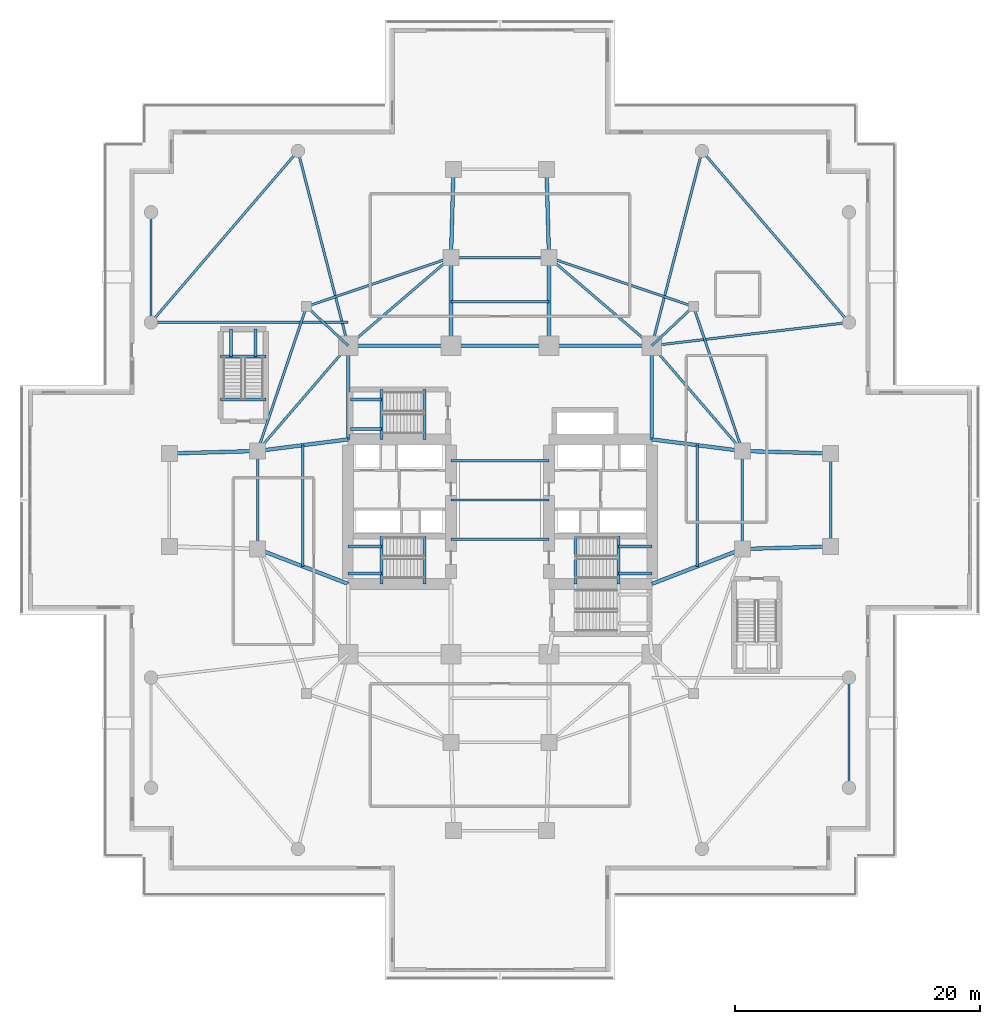
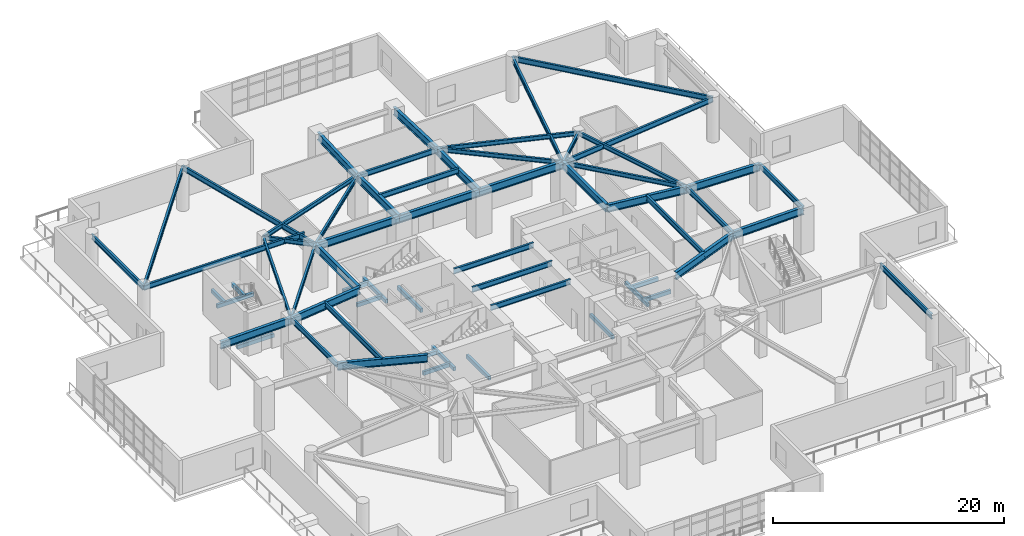
# One storey, part 7 of 23: 60 beams.
"""IFC4 building model written with IfcOpenShell, lengths in metres."""

from ifc_helpers import new_model, si_unit, direction, frame, origin, origin_2d, place, context, subcontext, project, spatial, rectangle, i_section, extrude, material, material_profile, profile_set, type_object, element, save


model = new_model("IFC4")

# Units and contexts
model_context = context("Model", 3, precision=1e-05, world=origin(), true_north=direction((0.0, 1.0)))
body_context = subcontext(model_context, "Body", "Model", "MODEL_VIEW")
ifc_project = project(units=[si_unit("LENGTHUNIT", "METRE"), si_unit("AREAUNIT", "SQUARE_METRE"), si_unit("VOLUMEUNIT", "CUBIC_METRE"), si_unit("PLANEANGLEUNIT", "RADIAN"), si_unit("MASSUNIT", "GRAM", prefix="KILO")], contexts=[model_context])

# Site, building, storey
site_placement = place(None, origin())
site = spatial("IfcSite", under=ifc_project, at=site_placement, CompositionType="ELEMENT")
building_placement = place(site_placement, origin())
building = spatial("IfcBuilding", under=site, at=building_placement, Name="Qingluan Cross Belvedere", CompositionType="ELEMENT")
storey_placement = place(building_placement, frame((0.0, 0.0, 5.39990234375)))
storey = spatial("IfcBuildingStorey", under=building, at=storey_placement, Name="L02", CompositionType="ELEMENT", Elevation=5.39990234375)

# Beams
ifc_material_1 = material(Name="Concrete C45", Category="concrete")
ifc_material_profile_1 = material_profile(ifc_material_1, rectangle(XDim=0.25, YDim=0.39990234375, at=origin_2d()), Name="RC250x400")
ifc_profile_set_1 = profile_set([ifc_material_profile_1], Name="Concrete C45")
beam_type_1 = type_object("IfcBeamType", Name="RC_Lintel_RC250x400", PredefinedType="LINTEL", material=ifc_profile_set_1)
for number, where, z_axis, x_axis, name in (
    (1, (-6.179931640625, -6.85009765625, -0.199951171875), (0.0, 1.0, 0.0), (-1.0, 0.0, 0.0), "Stair ST1 landing beam L02"),
    (2, (6.179931640625, -6.85009765625, -0.199951171875), (0.0, 1.0, 0.0), (-1.0, 0.0, 0.0), "Stair ST2 landing beam L02"),
):
    element("IfcBeam", number, at=place(storey_placement, frame(where, z_axis=z_axis, x_axis=x_axis)), inside=storey, type_object=beam_type_1, Name=name, PredefinedType="LINTEL", context=body_context, shape_type="SweptSolid", body=[
        extrude(rectangle(XDim=0.25, YDim=0.39990234375, at=origin_2d()), origin(), (0.0, 0.0, 1.0), 3.89013671875),
    ])
beam_1_placement = place(storey_placement, frame((-6.179931640625, 4.949951171875, -0.199951171875), z_axis=(0.0, 1.0, 0.0), x_axis=(-1.0, 0.0, 0.0)))
element("IfcBeam", 3, at=beam_1_placement, inside=storey, type_object=beam_type_1, Name="Stair ST3 landing beam L02", PredefinedType="LINTEL", context=body_context, shape_type="SweptSolid", body=[
    extrude(rectangle(XDim=0.25, YDim=0.39990234375, at=origin_2d()), origin(), (0.0, 0.0, 1.0), 4.090087890625),
])
beam_2_placement = place(storey_placement, frame((-22.820068359375, 8.2099609375, -0.199951171875), z_axis=(1.0, 0.0, 0.0), x_axis=(0.0, 1.0, 0.0)))
element("IfcBeam", 4, at=beam_2_placement, inside=storey, type_object=beam_type_1, Name="Stair ST5 landing beam L02", PredefinedType="LINTEL", context=body_context, shape_type="SweptSolid", body=[
    extrude(rectangle(XDim=0.25, YDim=0.39990234375, at=origin_2d()), origin(), (0.0, 0.0, 1.0), 3.699951171875),
])
beam_3_placement = place(storey_placement, frame((-9.68994140625, -6.85009765625, 2.0), z_axis=(0.0, 1.0, 0.0), x_axis=(-1.0, 0.0, 0.0)))
element("IfcBeam", 5, at=beam_3_placement, inside=storey, type_object=beam_type_1, Name="Stair ST1 beam A L02", PredefinedType="LINTEL", context=body_context, shape_type="SweptSolid", body=[
    extrude(rectangle(XDim=0.25, YDim=0.39990234375, at=origin_2d()), origin(), (0.0, 0.0, 1.0), 3.89013671875),
])
for number, where, z_axis, x_axis, name in (
    (6, (-12.39990234375, -6.0, 2.0), (1.0, 0.0, 0.0), (0.0, 1.0, 0.0), "Stair ST1 beam B L02"),
    (7, (-12.39990234375, -3.81005859375, 2.0), (1.0, 0.0, 0.0), (0.0, 1.0, 0.0), "Stair ST1 beam C L02"),
):
    element("IfcBeam", number, at=place(storey_placement, frame(where, z_axis=z_axis, x_axis=x_axis)), inside=storey, type_object=beam_type_1, Name=name, PredefinedType="LINTEL", context=body_context, shape_type="SweptSolid", body=[
        extrude(rectangle(XDim=0.25, YDim=0.39990234375, at=origin_2d()), origin(), (0.0, 0.0, 1.0), 2.7099609375),
    ])
beam_4_placement = place(storey_placement, frame((9.68994140625, -6.85009765625, 2.0), z_axis=(0.0, 1.0, 0.0), x_axis=(-1.0, 0.0, 0.0)))
element("IfcBeam", 8, at=beam_4_placement, inside=storey, type_object=beam_type_1, Name="Stair ST2 beam A L02", PredefinedType="LINTEL", context=body_context, shape_type="SweptSolid", body=[
    extrude(rectangle(XDim=0.25, YDim=0.39990234375, at=origin_2d()), origin(), (0.0, 0.0, 1.0), 3.89013671875),
])
for number, where, z_axis, x_axis, name in (
    (9, (12.39990234375, -6.0, 2.0), (-1.0, 0.0, 0.0), (0.0, -1.0, 0.0), "Stair ST2 beam B L02"),
    (10, (12.39990234375, -3.81005859375, 2.0), (-1.0, 0.0, 0.0), (0.0, -1.0, 0.0), "Stair ST2 beam C L02"),
):
    element("IfcBeam", number, at=place(storey_placement, frame(where, z_axis=z_axis, x_axis=x_axis)), inside=storey, type_object=beam_type_1, Name=name, PredefinedType="LINTEL", context=body_context, shape_type="SweptSolid", body=[
        extrude(rectangle(XDim=0.25, YDim=0.39990234375, at=origin_2d()), origin(), (0.0, 0.0, 1.0), 2.7099609375),
    ])
beam_5_placement = place(storey_placement, frame((-9.68994140625, 4.949951171875, 2.0), z_axis=(0.0, 1.0, 0.0), x_axis=(-1.0, 0.0, 0.0)))
element("IfcBeam", 11, at=beam_5_placement, inside=storey, type_object=beam_type_1, Name="Stair ST3 beam A L02", PredefinedType="LINTEL", context=body_context, shape_type="SweptSolid", body=[
    extrude(rectangle(XDim=0.25, YDim=0.39990234375, at=origin_2d()), origin(), (0.0, 0.0, 1.0), 4.090087890625),
])
for number, where, z_axis, x_axis, name in (
    (12, (-12.219970703125, 5.800048828125, 2.0), (1.0, 0.0, 0.0), (0.0, 1.0, 0.0), "Stair ST3 beam B L02"),
    (13, (-12.219970703125, 8.18994140625, 2.0), (1.0, 0.0, 0.0), (0.0, 1.0, 0.0), "Stair ST3 beam C L02"),
):
    element("IfcBeam", number, at=place(storey_placement, frame(where, z_axis=z_axis, x_axis=x_axis)), inside=storey, type_object=beam_type_1, Name=name, PredefinedType="LINTEL", context=body_context, shape_type="SweptSolid", body=[
        extrude(rectangle(XDim=0.25, YDim=0.39990234375, at=origin_2d()), origin(), (0.0, 0.0, 1.0), 2.530029296875),
    ])
beam_6_placement = place(storey_placement, frame((-22.820068359375, 11.719970703125, 2.0), z_axis=(1.0, 0.0, 0.0), x_axis=(0.0, 1.0, 0.0)))
element("IfcBeam", 14, at=beam_6_placement, inside=storey, type_object=beam_type_1, Name="Stair ST5 beam A L02", PredefinedType="LINTEL", context=body_context, shape_type="SweptSolid", body=[
    extrude(rectangle(XDim=0.25, YDim=0.39990234375, at=origin_2d()), origin(), (0.0, 0.0, 1.0), 3.699951171875),
])
for number, where, z_axis, x_axis, name in (
    (15, (-21.969970703125, 13.949951171875, 2.0), (0.0, -1.0, 0.0), (1.0, 0.0, 0.0), "Stair ST5 beam B L02"),
    (16, (-19.969970703125, 13.949951171875, 2.0), (0.0, -1.0, 0.0), (1.0, 0.0, 0.0), "Stair ST5 beam C L02"),
):
    element("IfcBeam", number, at=place(storey_placement, frame(where, z_axis=z_axis, x_axis=x_axis)), inside=storey, type_object=beam_type_1, Name=name, PredefinedType="LINTEL", context=body_context, shape_type="SweptSolid", body=[
        extrude(rectangle(XDim=0.25, YDim=0.39990234375, at=origin_2d()), origin(), (0.0, 0.0, 1.0), 2.22998046875),
    ])
ifc_material_2 = material(Name="Steel Q420GJB", Category="steel")
ifc_material_profile_2 = material_profile(ifc_material_2, i_section(OverallWidth=0.199951171875, OverallDepth=0.449951171875, WebThickness=0.009033203125, FlangeThickness=0.013916015625, FilletRadius=0.01611328125, at=origin_2d()), Name="HN450x200x9x14")
ifc_profile_set_2 = profile_set([ifc_material_profile_2], Name="Steel Q420GJB")
beam_type_2 = type_object("IfcBeamType", Name="Steel_Beam_HN450x200x9x14", PredefinedType="JOIST", material=ifc_profile_set_2)
beam_7_placement = place(storey_placement, frame((12.39990234375, 12.60009765625, 4.3251953125), z_axis=(0.728219948308, 0.685343495546, 0.0), x_axis=(-0.685343495546, 0.728219948308, 0.0)))
element("IfcBeam", 17, at=beam_7_placement, inside=storey, type_object=beam_type_2, Name="Corner beam 1 L02-RNE", PredefinedType="JOIST", context=body_context, shape_type="SweptSolid", body=[
    extrude(i_section(OverallWidth=0.199951171875, OverallDepth=0.449951171875, WebThickness=0.009033203125, FlangeThickness=0.013916015625, FilletRadius=0.01611328125, at=origin_2d()), origin(), (0.0, 0.0, 1.0), 4.669189453125),
])
for number, where, z_axis, x_axis, name in (
    (18, (15.800048828125, 15.800048828125, 4.3251953125), (-0.947066283324, 0.321038089628, 0.0), (-0.321038089628, -0.947066283324, 0.0), "Corner beam 2 L02-RNE"),
    (19, (15.800048828125, 15.800048828125, 4.3251953125), (0.321038089628, -0.947066283324, 0.0), (0.947066283324, 0.321038089628, 0.0), "Corner beam 3 L02-RNE"),
):
    element("IfcBeam", number, at=place(storey_placement, frame(where, z_axis=z_axis, x_axis=x_axis)), inside=storey, type_object=beam_type_2, Name=name, PredefinedType="JOIST", context=body_context, shape_type="SweptSolid", body=[
        extrude(i_section(OverallWidth=0.199951171875, OverallDepth=0.449951171875, WebThickness=0.009033203125, FlangeThickness=0.013916015625, FilletRadius=0.01611328125, at=origin_2d()), origin(), (0.0, 0.0, 1.0), 12.45947265625),
    ])
beam_8_placement = place(storey_placement, frame((12.39990234375, 12.60009765625, 4.3251953125), z_axis=(0.652245077546, -0.75800815221, 0.0), x_axis=(0.75800815221, 0.652245077546, 0.0)))
element("IfcBeam", 20, at=beam_8_placement, inside=storey, type_object=beam_type_2, Name="Corner beam 4 L02-RNE", PredefinedType="JOIST", context=body_context, shape_type="SweptSolid", body=[
    extrude(i_section(OverallWidth=0.199951171875, OverallDepth=0.449951171875, WebThickness=0.009033203125, FlangeThickness=0.013916015625, FilletRadius=0.01611328125, at=origin_2d()), origin(), (0.0, 0.0, 1.0), 11.345703125),
])
beam_9_placement = place(storey_placement, frame((12.39990234375, 12.60009765625, 4.3251953125), z_axis=(-0.759255044656, 0.650793190779, 0.0), x_axis=(-0.650793190779, -0.759255044656, 0.0)))
element("IfcBeam", 21, at=beam_9_placement, inside=storey, type_object=beam_type_2, Name="Corner beam 5 L02-RNE", PredefinedType="JOIST", context=body_context, shape_type="SweptSolid", body=[
    extrude(i_section(OverallWidth=0.199951171875, OverallDepth=0.449951171875, WebThickness=0.009033203125, FlangeThickness=0.013916015625, FilletRadius=0.01611328125, at=origin_2d()), origin(), (0.0, 0.0, 1.0), 11.063232421875),
])
beam_10_placement = place(storey_placement, frame((-12.39990234375, 12.60009765625, 4.3251953125), z_axis=(-0.728219948308, 0.685343495546, 0.0), x_axis=(-0.685343495546, -0.728219948308, 0.0)))
element("IfcBeam", 22, at=beam_10_placement, inside=storey, type_object=beam_type_2, Name="Corner beam 1 L02-RNW", PredefinedType="JOIST", context=body_context, shape_type="SweptSolid", body=[
    extrude(i_section(OverallWidth=0.199951171875, OverallDepth=0.449951171875, WebThickness=0.009033203125, FlangeThickness=0.013916015625, FilletRadius=0.01611328125, at=origin_2d()), origin(), (0.0, 0.0, 1.0), 4.669189453125),
])
for number, where, z_axis, x_axis, name in (
    (23, (-15.800048828125, 15.800048828125, 4.3251953125), (0.947066283324, 0.321038089628, 0.0), (-0.321038089628, 0.947066283324, 0.0), "Corner beam 2 L02-RNW"),
    (24, (-15.800048828125, 15.800048828125, 4.3251953125), (-0.321038089628, -0.947066283324, 0.0), (0.947066283324, -0.321038089628, 0.0), "Corner beam 3 L02-RNW"),
):
    element("IfcBeam", number, at=place(storey_placement, frame(where, z_axis=z_axis, x_axis=x_axis)), inside=storey, type_object=beam_type_2, Name=name, PredefinedType="JOIST", context=body_context, shape_type="SweptSolid", body=[
        extrude(i_section(OverallWidth=0.199951171875, OverallDepth=0.449951171875, WebThickness=0.009033203125, FlangeThickness=0.013916015625, FilletRadius=0.01611328125, at=origin_2d()), origin(), (0.0, 0.0, 1.0), 12.45947265625),
    ])
beam_11_placement = place(storey_placement, frame((-12.39990234375, 12.60009765625, 4.3251953125), z_axis=(-0.652245077546, -0.75800815221, 0.0), x_axis=(0.75800815221, -0.652245077546, 0.0)))
element("IfcBeam", 25, at=beam_11_placement, inside=storey, type_object=beam_type_2, Name="Corner beam 4 L02-RNW", PredefinedType="JOIST", context=body_context, shape_type="SweptSolid", body=[
    extrude(i_section(OverallWidth=0.199951171875, OverallDepth=0.449951171875, WebThickness=0.009033203125, FlangeThickness=0.013916015625, FilletRadius=0.01611328125, at=origin_2d()), origin(), (0.0, 0.0, 1.0), 11.345703125),
])
beam_12_placement = place(storey_placement, frame((-12.39990234375, 12.60009765625, 4.3251953125), z_axis=(0.759255044656, 0.650793190779, 0.0), x_axis=(-0.650793190779, 0.759255044656, 0.0)))
element("IfcBeam", 26, at=beam_12_placement, inside=storey, type_object=beam_type_2, Name="Corner beam 5 L02-RNW", PredefinedType="JOIST", context=body_context, shape_type="SweptSolid", body=[
    extrude(i_section(OverallWidth=0.199951171875, OverallDepth=0.449951171875, WebThickness=0.009033203125, FlangeThickness=0.013916015625, FilletRadius=0.01611328125, at=origin_2d()), origin(), (0.0, 0.0, 1.0), 11.063232421875),
])
ifc_material_3 = material(Name="Steel Q420GJB", Category="steel")
ifc_material_profile_3 = material_profile(ifc_material_3, i_section(OverallWidth=0.199951171875, OverallDepth=0.550048828125, WebThickness=0.010009765625, FlangeThickness=0.01611328125, FilletRadius=0.01611328125, at=origin_2d()), Name="HN550x200x10x16")
ifc_profile_set_3 = profile_set([ifc_material_profile_3], Name="Steel Q420GJB")
beam_type_3 = type_object("IfcBeamType", Name="Steel_Beam_HN550x200x10x16", PredefinedType="JOIST", material=ifc_profile_set_3)
for number, where, z_axis, x_axis, name in (
    (27, (-4.0, -3.199951171875, 4.275146484375), (1.0, 0.0, 0.0), (0.0, 1.0, 0.0), "Hall beam L02-CH1"),
    (28, (-4.0, 0.0, 4.275146484375), (1.0, 0.0, 0.0), (0.0, 1.0, 0.0), "Hall beam L02-CH2"),
    (29, (-4.0, 3.199951171875, 4.275146484375), (1.0, 0.0, 0.0), (0.0, 1.0, 0.0), "Hall beam L02-CH3"),
    (30, (19.800048828125, -4.0, 4.275146484375), (0.0, 1.0, 0.0), (-1.0, 0.0, 0.0), "Arm E tie L02"),
):
    element("IfcBeam", number, at=place(storey_placement, frame(where, z_axis=z_axis, x_axis=x_axis)), inside=storey, type_object=beam_type_3, Name=name, PredefinedType="JOIST", context=body_context, shape_type="SweptSolid", body=[
        extrude(i_section(OverallWidth=0.199951171875, OverallDepth=0.550048828125, WebThickness=0.010009765625, FlangeThickness=0.01611328125, FilletRadius=0.01611328125, at=origin_2d()), origin(), (0.0, 0.0, 1.0), 8.0),
    ])
beam_13_placement = place(storey_placement, frame((16.10009765625, -5.425048828125, 4.275146484375), z_axis=(0.0, 1.0, 0.0), x_axis=(-1.0, 0.0, 0.0)))
element("IfcBeam", 31, at=beam_13_placement, inside=storey, type_object=beam_type_3, Name="Arm E beam L02", PredefinedType="JOIST", context=body_context, shape_type="SweptSolid", body=[
    extrude(i_section(OverallWidth=0.199951171875, OverallDepth=0.550048828125, WebThickness=0.010009765625, FlangeThickness=0.01611328125, FilletRadius=0.01611328125, at=origin_2d()), origin(), (0.0, 0.0, 1.0), 9.900146484375),
])
beam_14_placement = place(storey_placement, frame((27.0, -3.800048828125, 4.275146484375), z_axis=(0.0, 1.0, 0.0), x_axis=(-1.0, 0.0, 0.0)))
element("IfcBeam", 32, at=beam_14_placement, inside=storey, type_object=beam_type_3, Name="Arm E tip transverse beam L02", PredefinedType="JOIST", context=body_context, shape_type="SweptSolid", body=[
    extrude(i_section(OverallWidth=0.199951171875, OverallDepth=0.550048828125, WebThickness=0.010009765625, FlangeThickness=0.01611328125, FilletRadius=0.01611328125, at=origin_2d()), origin(), (0.0, 0.0, 1.0), 7.60009765625),
])
beam_15_placement = place(storey_placement, frame((-19.800048828125, -4.0, 4.275146484375), z_axis=(0.0, 1.0, 0.0), x_axis=(-1.0, 0.0, 0.0)))
element("IfcBeam", 33, at=beam_15_placement, inside=storey, type_object=beam_type_3, Name="Arm W tie L02", PredefinedType="JOIST", context=body_context, shape_type="SweptSolid", body=[
    extrude(i_section(OverallWidth=0.199951171875, OverallDepth=0.550048828125, WebThickness=0.010009765625, FlangeThickness=0.01611328125, FilletRadius=0.01611328125, at=origin_2d()), origin(), (0.0, 0.0, 1.0), 8.0),
])
beam_16_placement = place(storey_placement, frame((-16.10009765625, -5.425048828125, 4.275146484375), z_axis=(0.0, 1.0, 0.0), x_axis=(-1.0, 0.0, 0.0)))
element("IfcBeam", 34, at=beam_16_placement, inside=storey, type_object=beam_type_3, Name="Arm W beam L02", PredefinedType="JOIST", context=body_context, shape_type="SweptSolid", body=[
    extrude(i_section(OverallWidth=0.199951171875, OverallDepth=0.550048828125, WebThickness=0.010009765625, FlangeThickness=0.01611328125, FilletRadius=0.01611328125, at=origin_2d()), origin(), (0.0, 0.0, 1.0), 9.900146484375),
])
for number, where, z_axis, x_axis, name in (
    (35, (-4.0, 19.800048828125, 4.275146484375), (1.0, 0.0, 0.0), (0.0, 1.0, 0.0), "Arm N tie L02"),
    (36, (-4.0, 16.199951171875, 4.275146484375), (1.0, 0.0, 0.0), (0.0, 1.0, 0.0), "Arm N beam L02"),
):
    element("IfcBeam", number, at=place(storey_placement, frame(where, z_axis=z_axis, x_axis=x_axis)), inside=storey, type_object=beam_type_3, Name=name, PredefinedType="JOIST", context=body_context, shape_type="SweptSolid", body=[
        extrude(i_section(OverallWidth=0.199951171875, OverallDepth=0.550048828125, WebThickness=0.010009765625, FlangeThickness=0.01611328125, FilletRadius=0.01611328125, at=origin_2d()), origin(), (0.0, 0.0, 1.0), 8.0),
    ])
beam_17_placement = place(storey_placement, frame((-12.39990234375, 14.5, 4.275146484375), z_axis=(-1.0, 0.0, 0.0), x_axis=(0.0, -1.0, 0.0)))
element("IfcBeam", 37, at=beam_17_placement, inside=storey, type_object=beam_type_3, Name="Podium quadrant tie beam L02-WNH1", PredefinedType="JOIST", context=body_context, shape_type="SweptSolid", body=[
    extrude(i_section(OverallWidth=0.199951171875, OverallDepth=0.550048828125, WebThickness=0.010009765625, FlangeThickness=0.01611328125, FilletRadius=0.01611328125, at=origin_2d()), origin(), (0.0, 0.0, 1.0), 16.10009765625),
])
beam_18_placement = place(storey_placement, frame((-12.39990234375, 12.60009765625, 4.275146484375), z_axis=(-0.249700840873, 0.968323029814, 0.0), x_axis=(-0.968323029814, -0.249700840873, 0.0)))
element("IfcBeam", 38, at=beam_18_placement, inside=storey, type_object=beam_type_3, Name="Podium quadrant tie beam L02-WNH3", PredefinedType="JOIST", context=body_context, shape_type="SweptSolid", body=[
    extrude(i_section(OverallWidth=0.199951171875, OverallDepth=0.550048828125, WebThickness=0.010009765625, FlangeThickness=0.01611328125, FilletRadius=0.01611328125, at=origin_2d()), origin(), (0.0, 0.0, 1.0), 16.419921875),
])
beam_19_placement = place(storey_placement, frame((-28.5, 14.5, 4.275146484375), z_axis=(0.0, 1.0, 0.0), x_axis=(-1.0, 0.0, 0.0)))
element("IfcBeam", 39, at=beam_19_placement, inside=storey, type_object=beam_type_3, Name="Podium quadrant tie beam L02-WN12", PredefinedType="JOIST", context=body_context, shape_type="SweptSolid", body=[
    extrude(i_section(OverallWidth=0.199951171875, OverallDepth=0.550048828125, WebThickness=0.010009765625, FlangeThickness=0.01611328125, FilletRadius=0.01611328125, at=origin_2d()), origin(), (0.0, 0.0, 1.0), 9.0),
])
beam_20_placement = place(storey_placement, frame((-28.5, 14.5, 4.275146484375), z_axis=(0.650791373456, 0.759256602365, 0.0), x_axis=(-0.759256602365, 0.650791373456, 0.0)))
element("IfcBeam", 40, at=beam_20_placement, inside=storey, type_object=beam_type_3, Name="Podium quadrant tie beam L02-WN13", PredefinedType="JOIST", context=body_context, shape_type="SweptSolid", body=[
    extrude(i_section(OverallWidth=0.199951171875, OverallDepth=0.550048828125, WebThickness=0.010009765625, FlangeThickness=0.01611328125, FilletRadius=0.01611328125, at=origin_2d()), origin(), (0.0, 0.0, 1.0), 18.439208984375),
])
beam_21_placement = place(storey_placement, frame((28.5, -14.5, 4.275146484375), z_axis=(0.0, -1.0, 0.0), x_axis=(1.0, 0.0, 0.0)))
element("IfcBeam", 41, at=beam_21_placement, inside=storey, type_object=beam_type_3, Name="Podium quadrant tie beam L02-ES12", PredefinedType="JOIST", context=body_context, shape_type="SweptSolid", body=[
    extrude(i_section(OverallWidth=0.199951171875, OverallDepth=0.550048828125, WebThickness=0.010009765625, FlangeThickness=0.01611328125, FilletRadius=0.01611328125, at=origin_2d()), origin(), (0.0, 0.0, 1.0), 9.0),
])
beam_22_placement = place(storey_placement, frame((12.39990234375, 12.60009765625, 4.275146484375), z_axis=(0.99310921872, 0.117192489917, 0.0), x_axis=(-0.117192489917, 0.99310921872, 0.0)))
element("IfcBeam", 42, at=beam_22_placement, inside=storey, type_object=beam_type_3, Name="Podium quadrant tie beam L02-ENH1", PredefinedType="JOIST", context=body_context, shape_type="SweptSolid", body=[
    extrude(i_section(OverallWidth=0.199951171875, OverallDepth=0.550048828125, WebThickness=0.010009765625, FlangeThickness=0.01611328125, FilletRadius=0.01611328125, at=origin_2d()), origin(), (0.0, 0.0, 1.0), 16.2119140625),
])
beam_23_placement = place(storey_placement, frame((12.39990234375, 12.60009765625, 4.275146484375), z_axis=(0.249700840873, 0.968323029814, 0.0), x_axis=(-0.968323029814, 0.249700840873, 0.0)))
element("IfcBeam", 43, at=beam_23_placement, inside=storey, type_object=beam_type_3, Name="Podium quadrant tie beam L02-ENH3", PredefinedType="JOIST", context=body_context, shape_type="SweptSolid", body=[
    extrude(i_section(OverallWidth=0.199951171875, OverallDepth=0.550048828125, WebThickness=0.010009765625, FlangeThickness=0.01611328125, FilletRadius=0.01611328125, at=origin_2d()), origin(), (0.0, 0.0, 1.0), 16.419921875),
])
beam_24_placement = place(storey_placement, frame((28.5, 14.5, 4.275146484375), z_axis=(-0.650791373456, 0.759256602365, 0.0), x_axis=(-0.759256602365, -0.650791373456, 0.0)))
element("IfcBeam", 44, at=beam_24_placement, inside=storey, type_object=beam_type_3, Name="Podium quadrant tie beam L02-EN13", PredefinedType="JOIST", context=body_context, shape_type="SweptSolid", body=[
    extrude(i_section(OverallWidth=0.199951171875, OverallDepth=0.550048828125, WebThickness=0.010009765625, FlangeThickness=0.01611328125, FilletRadius=0.01611328125, at=origin_2d()), origin(), (0.0, 0.0, 1.0), 18.439208984375),
])
ifc_material_4 = material(Name="Steel Q420GJB", Category="steel")
ifc_material_profile_4 = material_profile(ifc_material_4, i_section(OverallWidth=0.300048828125, OverallDepth=0.800048828125, WebThickness=0.015380859375, FlangeThickness=0.028076171875, FilletRadius=0.030029296875, at=origin_2d()), Name="HEB800")
ifc_profile_set_4 = profile_set([ifc_material_profile_4], Name="Steel Q420GJB")
beam_type_4 = type_object("IfcBeamType", Name="Steel_Girder_HEB800", PredefinedType="USERDEFINED", material=ifc_profile_set_4)
beam_25_placement = place(storey_placement, frame((-12.39990234375, 12.60009765625, 4.150146484375), z_axis=(1.0, 0.0, 0.0), x_axis=(0.0, 1.0, 0.0)))
element("IfcBeam", 45, at=beam_25_placement, inside=storey, type_object=beam_type_4, Name="Hub girder L02-HG-N1", ObjectType="GIRDER", PredefinedType="USERDEFINED", context=body_context, shape_type="SweptSolid", body=[
    extrude(i_section(OverallWidth=0.300048828125, OverallDepth=0.800048828125, WebThickness=0.015380859375, FlangeThickness=0.028076171875, FilletRadius=0.030029296875, at=origin_2d()), origin(), (0.0, 0.0, 1.0), 8.39990234375),
])
beam_26_placement = place(storey_placement, frame((-4.0, 12.60009765625, 4.150146484375), z_axis=(1.0, 0.0, 0.0), x_axis=(0.0, 1.0, 0.0)))
element("IfcBeam", 46, at=beam_26_placement, inside=storey, type_object=beam_type_4, Name="Hub girder L02-HG-N2", ObjectType="GIRDER", PredefinedType="USERDEFINED", context=body_context, shape_type="SweptSolid", body=[
    extrude(i_section(OverallWidth=0.300048828125, OverallDepth=0.800048828125, WebThickness=0.015380859375, FlangeThickness=0.028076171875, FilletRadius=0.030029296875, at=origin_2d()), origin(), (0.0, 0.0, 1.0), 8.0),
])
beam_27_placement = place(storey_placement, frame((4.0, 12.60009765625, 4.150146484375), z_axis=(1.0, 0.0, 0.0), x_axis=(0.0, 1.0, 0.0)))
element("IfcBeam", 47, at=beam_27_placement, inside=storey, type_object=beam_type_4, Name="Hub girder L02-HG-N3", ObjectType="GIRDER", PredefinedType="USERDEFINED", context=body_context, shape_type="SweptSolid", body=[
    extrude(i_section(OverallWidth=0.300048828125, OverallDepth=0.800048828125, WebThickness=0.015380859375, FlangeThickness=0.028076171875, FilletRadius=0.030029296875, at=origin_2d()), origin(), (0.0, 0.0, 1.0), 8.39990234375),
])
for number, where, z_axis, x_axis, name in (
    (48, (-12.39990234375, 4.949951171875, 4.150146484375), (0.0, 1.0, 0.0), (-1.0, 0.0, 0.0), "Hub girder L02-HG-W2"),
    (49, (12.39990234375, 4.949951171875, 4.150146484375), (0.0, 1.0, 0.0), (-1.0, 0.0, 0.0), "Hub girder L02-HG-E2"),
):
    element("IfcBeam", number, at=place(storey_placement, frame(where, z_axis=z_axis, x_axis=x_axis)), inside=storey, type_object=beam_type_4, Name=name, ObjectType="GIRDER", PredefinedType="USERDEFINED", context=body_context, shape_type="SweptSolid", body=[
        extrude(i_section(OverallWidth=0.300048828125, OverallDepth=0.800048828125, WebThickness=0.015380859375, FlangeThickness=0.028076171875, FilletRadius=0.030029296875, at=origin_2d()), origin(), (0.0, 0.0, 1.0), 7.650146484375),
    ])
beam_28_placement = place(storey_placement, frame((12.39990234375, -6.85009765625, 4.150146484375), z_axis=(0.933181258889, 0.359406090735, 0.0), x_axis=(-0.359406090735, 0.933181258889, 0.0)))
element("IfcBeam", 50, at=beam_28_placement, inside=storey, type_object=beam_type_4, Name="Arm E radial girder A L02", ObjectType="GIRDER", PredefinedType="USERDEFINED", context=body_context, shape_type="SweptSolid", body=[
    extrude(i_section(OverallWidth=0.300048828125, OverallDepth=0.800048828125, WebThickness=0.015380859375, FlangeThickness=0.028076171875, FilletRadius=0.030029296875, at=origin_2d()), origin(), (0.0, 0.0, 1.0), 7.929931640625),
])
beam_29_placement = place(storey_placement, frame((12.39990234375, 4.949951171875, 4.150146484375), z_axis=(0.991861120628, -0.12732445714, 0.0), x_axis=(0.12732445714, 0.991861120628, 0.0)))
element("IfcBeam", 51, at=beam_29_placement, inside=storey, type_object=beam_type_4, Name="Arm E radial girder B L02", ObjectType="GIRDER", PredefinedType="USERDEFINED", context=body_context, shape_type="SweptSolid", body=[
    extrude(i_section(OverallWidth=0.300048828125, OverallDepth=0.800048828125, WebThickness=0.015380859375, FlangeThickness=0.028076171875, FilletRadius=0.030029296875, at=origin_2d()), origin(), (0.0, 0.0, 1.0), 7.4609375),
])
for number, where, z_axis, x_axis, name in (
    (52, (19.800048828125, -4.0, 4.150146484375), (0.999614603568, 0.027760481514, 0.0), (-0.027760481514, 0.999614603568, 0.0), "Arm E outer radial girder A L02"),
    (53, (19.800048828125, 4.0, 4.150146484375), (0.999614603568, -0.027760481514, 0.0), (0.027760481514, 0.999614603568, 0.0), "Arm E outer radial girder B L02"),
):
    element("IfcBeam", number, at=place(storey_placement, frame(where, z_axis=z_axis, x_axis=x_axis)), inside=storey, type_object=beam_type_4, Name=name, ObjectType="GIRDER", PredefinedType="USERDEFINED", context=body_context, shape_type="SweptSolid", body=[
        extrude(i_section(OverallWidth=0.300048828125, OverallDepth=0.800048828125, WebThickness=0.015380859375, FlangeThickness=0.028076171875, FilletRadius=0.030029296875, at=origin_2d()), origin(), (0.0, 0.0, 1.0), 7.20263671875),
    ])
beam_30_placement = place(storey_placement, frame((-12.39990234375, -6.85009765625, 4.150146484375), z_axis=(-0.933181258889, 0.359406090735, 0.0), x_axis=(-0.359406090735, -0.933181258889, 0.0)))
element("IfcBeam", 54, at=beam_30_placement, inside=storey, type_object=beam_type_4, Name="Arm W radial girder A L02", ObjectType="GIRDER", PredefinedType="USERDEFINED", context=body_context, shape_type="SweptSolid", body=[
    extrude(i_section(OverallWidth=0.300048828125, OverallDepth=0.800048828125, WebThickness=0.015380859375, FlangeThickness=0.028076171875, FilletRadius=0.030029296875, at=origin_2d()), origin(), (0.0, 0.0, 1.0), 7.929931640625),
])
beam_31_placement = place(storey_placement, frame((-12.39990234375, 4.949951171875, 4.150146484375), z_axis=(-0.991861120628, -0.12732445714, 0.0), x_axis=(0.12732445714, -0.991861120628, 0.0)))
element("IfcBeam", 55, at=beam_31_placement, inside=storey, type_object=beam_type_4, Name="Arm W radial girder B L02", ObjectType="GIRDER", PredefinedType="USERDEFINED", context=body_context, shape_type="SweptSolid", body=[
    extrude(i_section(OverallWidth=0.300048828125, OverallDepth=0.800048828125, WebThickness=0.015380859375, FlangeThickness=0.028076171875, FilletRadius=0.030029296875, at=origin_2d()), origin(), (0.0, 0.0, 1.0), 7.4609375),
])
beam_32_placement = place(storey_placement, frame((-19.800048828125, 4.0, 4.150146484375), z_axis=(-0.999614603568, -0.027760481514, 0.0), x_axis=(0.027760481514, -0.999614603568, 0.0)))
element("IfcBeam", 56, at=beam_32_placement, inside=storey, type_object=beam_type_4, Name="Arm W outer radial girder B L02", ObjectType="GIRDER", PredefinedType="USERDEFINED", context=body_context, shape_type="SweptSolid", body=[
    extrude(i_section(OverallWidth=0.300048828125, OverallDepth=0.800048828125, WebThickness=0.015380859375, FlangeThickness=0.028076171875, FilletRadius=0.030029296875, at=origin_2d()), origin(), (0.0, 0.0, 1.0), 7.20263671875),
])
for number, where, z_axis, x_axis, name in (
    (57, (-4.0, 12.60009765625, 4.150146484375), (0.0, 1.0, 0.0), (-1.0, 0.0, 0.0), "Arm N radial girder A L02"),
    (58, (4.0, 12.60009765625, 4.150146484375), (0.0, 1.0, 0.0), (-1.0, 0.0, 0.0), "Arm N radial girder B L02"),
):
    element("IfcBeam", number, at=place(storey_placement, frame(where, z_axis=z_axis, x_axis=x_axis)), inside=storey, type_object=beam_type_4, Name=name, ObjectType="GIRDER", PredefinedType="USERDEFINED", context=body_context, shape_type="SweptSolid", body=[
        extrude(i_section(OverallWidth=0.300048828125, OverallDepth=0.800048828125, WebThickness=0.015380859375, FlangeThickness=0.028076171875, FilletRadius=0.030029296875, at=origin_2d()), origin(), (0.0, 0.0, 1.0), 7.199951171875),
    ])
for number, where, z_axis, x_axis, name in (
    (59, (-4.0, 19.800048828125, 4.150146484375), (0.027760481514, 0.999614603568, 0.0), (-0.999614603568, 0.027760481514, 0.0), "Arm N outer radial girder A L02"),
    (60, (4.0, 19.800048828125, 4.150146484375), (-0.027760481514, 0.999614603568, 0.0), (-0.999614603568, -0.027760481514, 0.0), "Arm N outer radial girder B L02"),
):
    element("IfcBeam", number, at=place(storey_placement, frame(where, z_axis=z_axis, x_axis=x_axis)), inside=storey, type_object=beam_type_4, Name=name, ObjectType="GIRDER", PredefinedType="USERDEFINED", context=body_context, shape_type="SweptSolid", body=[
        extrude(i_section(OverallWidth=0.300048828125, OverallDepth=0.800048828125, WebThickness=0.015380859375, FlangeThickness=0.028076171875, FilletRadius=0.030029296875, at=origin_2d()), origin(), (0.0, 0.0, 1.0), 7.20263671875),
    ])

save(model, "model.ifc")
